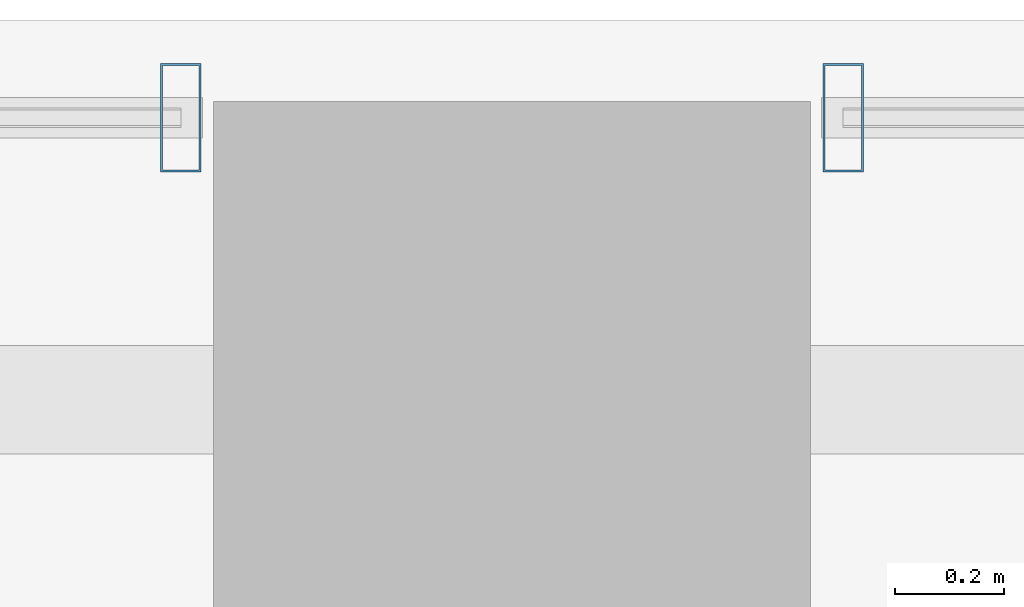
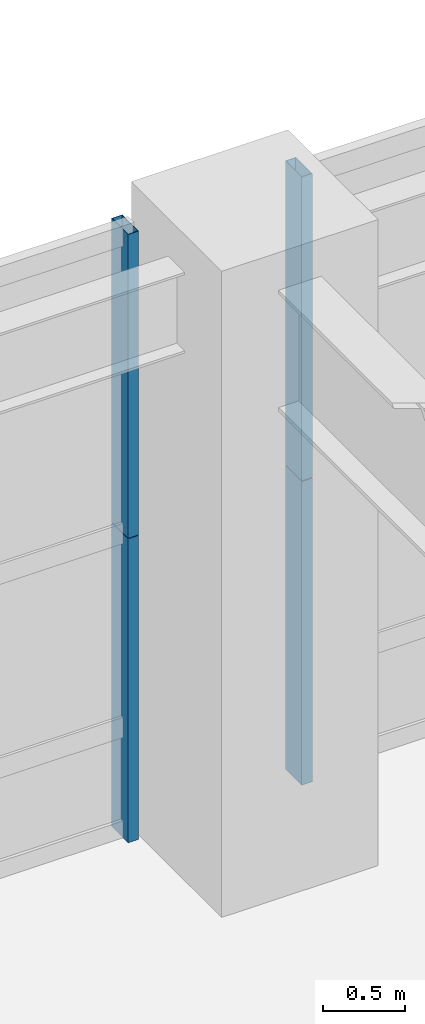
# One storey, part 23 of 39: 4 members, 2 elements without a shape of their own.
"""IFC4 building model written with IfcOpenShell, lengths in metres."""

from ifc_helpers import new_model, si_unit, direction, frame, origin, origin_2d, place, context, subcontext, project, spatial, hollow_rectangle, extrude, source, transform, mapped, material, layer, layer_set, material_profile, profile_set, type_object, element, aggregate, save


model = new_model("IFC4")

# Units and contexts
model_context = context("Model", 3, precision=1e-05, world=origin(), true_north=direction((0.0, 1.0)))
body_context = subcontext(model_context, "Body", "Model", "MODEL_VIEW")
ifc_project = project(units=[si_unit("LENGTHUNIT", "METRE"), si_unit("AREAUNIT", "SQUARE_METRE"), si_unit("VOLUMEUNIT", "CUBIC_METRE"), si_unit("PLANEANGLEUNIT", "RADIAN"), si_unit("MASSUNIT", "GRAM", prefix="KILO"), si_unit("THERMODYNAMICTEMPERATUREUNIT", "KELVIN"), si_unit("POWERUNIT", "WATT")], contexts=[model_context])

# Site, building, storey
site_placement = place(None, origin())
site = spatial("IfcSite", under=ifc_project, at=site_placement, CompositionType="ELEMENT")
building_placement = place(site_placement, origin())
building = spatial("IfcBuilding", under=site, at=building_placement, Name="Yuzanri Waterfront Tower", CompositionType="ELEMENT")
storey_placement = place(building_placement, frame((0.0, 0.0, 15.0)))
storey = spatial("IfcBuildingStorey", under=building, at=storey_placement, Name="L04", CompositionType="ELEMENT", Elevation=15.0)

# Curtain wall, members
ifc_material_1 = material(Name="Anodized Architectural Bronze", Category="metal")
ifc_layer = layer(ifc_material_1, 0.159912109375)
ifc_layer_set = layer_set([ifc_layer], Name="Anodized Architectural Bronze")
curtain_wall_type = type_object("IfcCurtainWallType", Name="Anodized Bronze Podium Waterfront Double-Height Unitized Curtain Wall 8400", PredefinedType="NOTDEFINED", material=ifc_layer_set)
curtain_wall_1_placement = place(storey_placement, origin())
curtain_wall_1 = element("IfcCurtainWall", 1, at=curtain_wall_1_placement, inside=storey, type_object=curtain_wall_type, Name="L04 Curtain Wall CW-L04-N1", PredefinedType="NOTDEFINED")
ifc_material_2 = material(Name="Anodized Architectural Bronze", Category="metal")
ifc_material_profile = material_profile(ifc_material_2, hollow_rectangle(XDim=0.074951171875, YDim=0.199951171875, WallThickness=0.00390625, at=origin_2d()), Name="CWM 75x200")
ifc_profile_set = profile_set([ifc_material_profile], Name="Anodized Architectural Bronze")
member_type = type_object("IfcMemberType", Name="Anodized Bronze Primary Curtain-Wall Mullion 75x200", PredefinedType="MULLION", material=ifc_profile_set)
shared_shape = source(origin(), body_context, "Body", "SweptSolid", [
    extrude(hollow_rectangle(XDim=0.074951171875, YDim=0.199951171875, WallThickness=0.00390625, at=origin_2d()), origin(), (0.0, 0.0, 1.0), 2.258056640625),
])
member_1_placement = place(storey_placement, frame((36.389892578125, 49.6201171875, 0.0), z_axis=(0.0, 0.0, 1.0), x_axis=(1.0, 0.0, 0.0)))
member_1 = element("IfcMember", 2, at=member_1_placement, type_object=member_type, Name="CW-L04-N1 Lower Mullion 02", PredefinedType="MULLION", context=body_context, shape_type="MappedRepresentation", body=[
    mapped(shared_shape, transform((0.0, 0.0, 0.0), scale=1.0)),
])
member_2_placement = place(storey_placement, frame((36.389892578125, 49.6201171875, 2.261962890625), z_axis=(0.0, 0.0, 1.0), x_axis=(1.0, 0.0, 0.0)))
member_2 = element("IfcMember", 3, at=member_2_placement, type_object=member_type, Name="CW-L04-N1 Upper Mullion 02", PredefinedType="MULLION", context=body_context, shape_type="MappedRepresentation", body=[
    mapped(shared_shape, transform((0.0, 0.0, 0.0), scale=1.0)),
])
aggregate(curtain_wall_1, [member_1, member_2])

curtain_wall_2_placement = place(storey_placement, origin())
curtain_wall_2 = element("IfcCurtainWall", 4, at=curtain_wall_2_placement, inside=storey, type_object=curtain_wall_type, Name="L04 Curtain Wall CW-L04-N2", PredefinedType="NOTDEFINED")
member_3_placement = place(storey_placement, frame((37.610107421875, 49.6201171875, 0.0), z_axis=(0.0, 0.0, 1.0), x_axis=(1.0, 0.0, 0.0)))
member_3 = element("IfcMember", 5, at=member_3_placement, type_object=member_type, Name="CW-L04-N2 Lower Mullion 00", PredefinedType="MULLION", context=body_context, shape_type="MappedRepresentation", body=[
    mapped(shared_shape, transform((0.0, 0.0, 0.0), scale=1.0)),
])
member_4_placement = place(storey_placement, frame((37.610107421875, 49.6201171875, 2.261962890625), z_axis=(0.0, 0.0, 1.0), x_axis=(1.0, 0.0, 0.0)))
member_4 = element("IfcMember", 6, at=member_4_placement, type_object=member_type, Name="CW-L04-N2 Upper Mullion 00", PredefinedType="MULLION", context=body_context, shape_type="MappedRepresentation", body=[
    mapped(shared_shape, transform((0.0, 0.0, 0.0), scale=1.0)),
])
aggregate(curtain_wall_2, [member_3, member_4])

save(model, "model.ifc")
